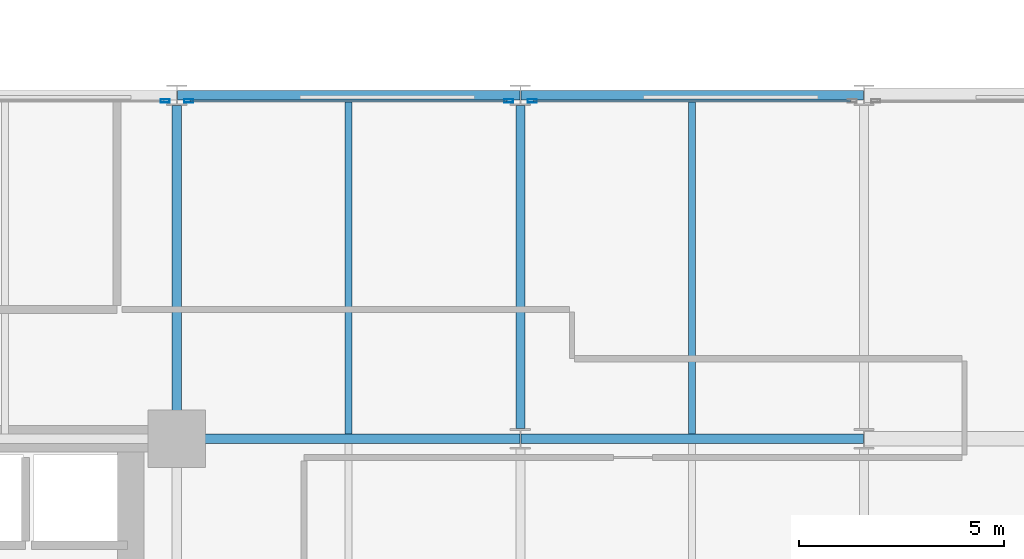
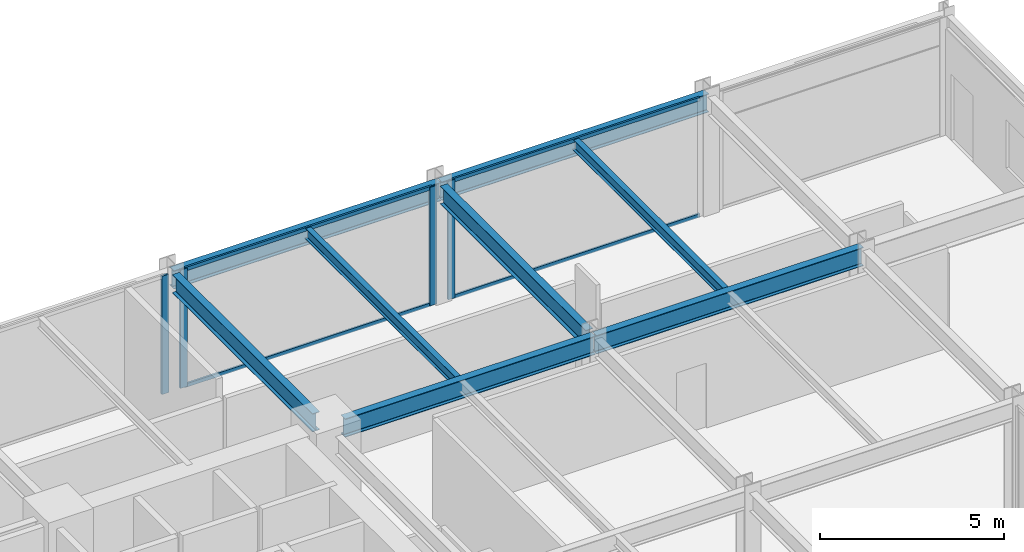
# One storey, part 14 of 26: 8 beams, 8 members, 3 elements without a shape of their own.
"""IFC4 building model written with IfcOpenShell, lengths in metres."""

from ifc_helpers import new_model, si_unit, direction, frame, origin, origin_2d, place, context, subcontext, project, spatial, hollow_rectangle, i_section, extrude, material, layer, layer_set, material_profile, profile_set, type_object, element, aggregate, save


model = new_model("IFC4")

# Units and contexts
model_context = context("Model", 3, precision=1e-05, world=origin(), true_north=direction((0.0, 1.0)))
body_context = subcontext(model_context, "Body", "Model", "MODEL_VIEW")
ifc_project = project(units=[si_unit("LENGTHUNIT", "METRE"), si_unit("AREAUNIT", "SQUARE_METRE"), si_unit("VOLUMEUNIT", "CUBIC_METRE"), si_unit("PLANEANGLEUNIT", "RADIAN"), si_unit("MASSUNIT", "GRAM", prefix="KILO")], contexts=[model_context])

# Site, building, storey
site_placement = place(None, origin())
site = spatial("IfcSite", under=ifc_project, at=site_placement, CompositionType="ELEMENT")
building_placement = place(site_placement, origin())
building = spatial("IfcBuilding", under=site, at=building_placement, Name="Nerrivon Quay Data Exchange", CompositionType="ELEMENT")
storey_placement = place(building_placement, frame((0.0, 0.0, 71.0)))
storey = spatial("IfcBuildingStorey", under=building, at=storey_placement, Name="L16", CompositionType="ELEMENT", Elevation=71.0)

# Beams
ifc_material_1 = material(Name="Steel Grade 350", Category="steel")
ifc_material_profile_1 = material_profile(ifc_material_1, i_section(OverallWidth=0.22900390625, OverallDepth=0.612060546875, WebThickness=0.011962890625, FlangeThickness=0.01953125, FilletRadius=0.013916015625, at=origin_2d()), Name="610UB125")
ifc_profile_set_1 = profile_set([ifc_material_profile_1], Name="Steel Grade 350")
beam_type_1 = type_object("IfcBeamType", Name="BM-G1-610UB125", PredefinedType="BEAM", material=ifc_profile_set_1)
beam_1_placement = place(storey_placement, frame((34.139892578125, 16.800048828125, 3.618896484375), z_axis=(1.0, 0.0, 0.0), x_axis=(0.0, 1.0, 0.0)))
element("IfcBeam", 1, at=beam_1_placement, inside=storey, type_object=beam_type_1, Name="L16 EW Girder Y=16.8 (33.6..42.0)", PredefinedType="BEAM", context=body_context, shape_type="SweptSolid", body=[
    extrude(i_section(OverallWidth=0.22900390625, OverallDepth=0.612060546875, WebThickness=0.011962890625, FlangeThickness=0.01953125, FilletRadius=0.013916015625, at=origin_2d()), origin(), (0.0, 0.0, 1.0), 7.84619140625),
])
for number, where, z_axis, x_axis, name in (
    (2, (42.013916015625, 16.800048828125, 3.618896484375), (1.0, 0.0, 0.0), (0.0, 1.0, 0.0), "L16 EW Girder Y=16.8 (42.0..50.4)"),
    (3, (33.614013671875, 25.199951171875, 3.618896484375), (1.0, 0.0, 0.0), (0.0, 1.0, 0.0), "L16 EW Girder Y=25.2 (33.6..42.0)"),
    (4, (42.013916015625, 25.199951171875, 3.618896484375), (1.0, 0.0, 0.0), (0.0, 1.0, 0.0), "L16 EW Girder Y=25.2 (42.0..50.4)"),
):
    element("IfcBeam", number, at=place(storey_placement, frame(where, z_axis=z_axis, x_axis=x_axis)), inside=storey, type_object=beam_type_1, Name=name, PredefinedType="BEAM", context=body_context, shape_type="SweptSolid", body=[
        extrude(i_section(OverallWidth=0.22900390625, OverallDepth=0.612060546875, WebThickness=0.011962890625, FlangeThickness=0.01953125, FilletRadius=0.013916015625, at=origin_2d()), origin(), (0.0, 0.0, 1.0), 8.3720703125),
    ])
ifc_material_profile_2 = material_profile(ifc_material_1, i_section(OverallWidth=0.22802734375, OverallDepth=0.60205078125, WebThickness=0.010498046875, FlangeThickness=0.014892578125, FilletRadius=0.013916015625, at=origin_2d()), Name="610UB101")
ifc_profile_set_2 = profile_set([ifc_material_profile_2], Name="Steel Grade 350")
beam_type_2 = type_object("IfcBeamType", Name="BM-G2-610UB101", PredefinedType="BEAM", material=ifc_profile_set_2)
beam_2_placement = place(storey_placement, frame((33.60009765625, 17.340087890625, 3.6240234375), z_axis=(0.0, 1.0, 0.0), x_axis=(-1.0, 0.0, 0.0)))
element("IfcBeam", 5, at=beam_2_placement, inside=storey, type_object=beam_type_2, Name="L16 NS Girder X=33.6 (16.8..25.2)", PredefinedType="BEAM", context=body_context, shape_type="SweptSolid", body=[
    extrude(i_section(OverallWidth=0.22802734375, OverallDepth=0.60205078125, WebThickness=0.010498046875, FlangeThickness=0.014892578125, FilletRadius=0.013916015625, at=origin_2d()), origin(), (0.0, 0.0, 1.0), 7.60986328125),
])
beam_3_placement = place(storey_placement, frame((42.0, 17.050048828125, 3.6240234375), z_axis=(0.0, 1.0, 0.0), x_axis=(-1.0, 0.0, 0.0)))
element("IfcBeam", 6, at=beam_3_placement, inside=storey, type_object=beam_type_2, Name="L16 NS Girder X=42.0 (16.8..25.2)", PredefinedType="BEAM", context=body_context, shape_type="SweptSolid", body=[
    extrude(i_section(OverallWidth=0.22802734375, OverallDepth=0.60205078125, WebThickness=0.010498046875, FlangeThickness=0.014892578125, FilletRadius=0.013916015625, at=origin_2d()), origin(), (0.0, 0.0, 1.0), 7.89990234375),
])
ifc_material_profile_3 = material_profile(ifc_material_1, i_section(OverallWidth=0.172119140625, OverallDepth=0.35888671875, WebThickness=0.008056640625, FlangeThickness=0.012939453125, FilletRadius=0.011474609375, at=origin_2d()), Name="360UB56.7")
ifc_profile_set_3 = profile_set([ifc_material_profile_3], Name="Steel Grade 350")
beam_type_3 = type_object("IfcBeamType", Name="BM-J3-360UB57", PredefinedType="JOIST", material=ifc_profile_set_3)
for number, where, z_axis, x_axis, name in (
    (7, (37.800048828125, 16.91455078125, 3.74560546875), (0.0, 1.0, 0.0), (-1.0, 0.0, 0.0), "L16 Secondary Joist X=37.8 (16.8..25.2)"),
    (8, (46.199951171875, 16.91455078125, 3.74560546875), (0.0, 1.0, 0.0), (-1.0, 0.0, 0.0), "L16 Secondary Joist X=46.2 (16.8..25.2)"),
):
    element("IfcBeam", number, at=place(storey_placement, frame(where, z_axis=z_axis, x_axis=x_axis)), inside=storey, type_object=beam_type_3, Name=name, PredefinedType="JOIST", context=body_context, shape_type="SweptSolid", body=[
        extrude(i_section(OverallWidth=0.172119140625, OverallDepth=0.35888671875, WebThickness=0.008056640625, FlangeThickness=0.012939453125, FilletRadius=0.011474609375, at=origin_2d()), origin(), (0.0, 0.0, 1.0), 8.1708984375),
    ])

# Curtain wall, member
ifc_material_2 = material(Name="Anodised aluminium 6063-T6", Category="aluminium")
ifc_layer = layer(ifc_material_2, 0.219970703125)
ifc_layer_set = layer_set([ifc_layer], Name="Anodised aluminium 6063-T6")
curtain_wall_type = type_object("IfcCurtainWallType", Name="CW-SYS-01", PredefinedType="NOTDEFINED", material=ifc_layer_set)
curtain_wall_1_placement = place(storey_placement, origin())
curtain_wall_1 = element("IfcCurtainWall", 9, at=curtain_wall_1_placement, inside=storey, type_object=curtain_wall_type, Name="L16 Unitised Curtain Wall 32", PredefinedType="NOTDEFINED")
ifc_material_profile_4 = material_profile(ifc_material_2, hollow_rectangle(XDim=0.074951171875, YDim=0.219970703125, WallThickness=0.00390625, at=origin_2d()), Name="ALU-MULL-220x75")
ifc_profile_set_4 = profile_set([ifc_material_profile_4], Name="Anodised aluminium 6063-T6")
member_type_1 = type_object("IfcMemberType", Name="CWM-220x75", PredefinedType="MULLION", material=ifc_profile_set_4)
member_1_placement = place(storey_placement, frame((33.3125, 25.06005859375, 0.0), z_axis=(0.0, 0.0, 1.0), x_axis=(0.0, 1.0, 0.0)))
member_1 = element("IfcMember", 10, at=member_1_placement, type_object=member_type_1, Name="CW01 mullion 2", PredefinedType="MULLION", context=body_context, shape_type="SweptSolid", body=[
    extrude(hollow_rectangle(XDim=0.074951171875, YDim=0.219970703125, WallThickness=0.00390625, at=origin_2d()), origin(), (0.0, 0.0, 1.0), 3.925048828125),
])
aggregate(curtain_wall_1, [member_1])

# Curtain wall, members
curtain_wall_2_placement = place(storey_placement, origin())
curtain_wall_2 = element("IfcCurtainWall", 11, at=curtain_wall_2_placement, inside=storey, type_object=curtain_wall_type, Name="L16 Unitised Curtain Wall 33", PredefinedType="NOTDEFINED")
member_2_placement = place(storey_placement, frame((33.887451171875, 25.06005859375, 0.0), z_axis=(0.0, 0.0, 1.0), x_axis=(0.0, 1.0, 0.0)))
member_2 = element("IfcMember", 12, at=member_2_placement, type_object=member_type_1, Name="CW01 mullion 1", PredefinedType="MULLION", context=body_context, shape_type="SweptSolid", body=[
    extrude(hollow_rectangle(XDim=0.074951171875, YDim=0.219970703125, WallThickness=0.00390625, at=origin_2d()), origin(), (0.0, 0.0, 1.0), 3.925048828125),
])
member_3_placement = place(storey_placement, frame((41.71240234375, 25.06005859375, 0.0), z_axis=(0.0, 0.0, 1.0), x_axis=(0.0, 1.0, 0.0)))
member_3 = element("IfcMember", 13, at=member_3_placement, type_object=member_type_1, Name="CW01 mullion 2", PredefinedType="MULLION", context=body_context, shape_type="SweptSolid", body=[
    extrude(hollow_rectangle(XDim=0.074951171875, YDim=0.219970703125, WallThickness=0.00390625, at=origin_2d()), origin(), (0.0, 0.0, 1.0), 3.925048828125),
])

# Curtain wall, member
curtain_wall_3_placement = place(storey_placement, origin())
curtain_wall_3 = element("IfcCurtainWall", 14, at=curtain_wall_3_placement, inside=storey, type_object=curtain_wall_type, Name="L16 Unitised Curtain Wall 34", PredefinedType="NOTDEFINED")
member_4_placement = place(storey_placement, frame((42.28759765625, 25.06005859375, 0.0), z_axis=(0.0, 0.0, 1.0), x_axis=(0.0, 1.0, 0.0)))
member_4 = element("IfcMember", 15, at=member_4_placement, type_object=member_type_1, Name="CW01 mullion 1", PredefinedType="MULLION", context=body_context, shape_type="SweptSolid", body=[
    extrude(hollow_rectangle(XDim=0.074951171875, YDim=0.219970703125, WallThickness=0.00390625, at=origin_2d()), origin(), (0.0, 0.0, 1.0), 3.925048828125),
])

# Member
ifc_material_profile_5 = material_profile(ifc_material_2, hollow_rectangle(XDim=0.06005859375, YDim=0.1201171875, WallThickness=0.003173828125, at=origin_2d()), Name="ALU-TRAN-120x60")
ifc_profile_set_5 = profile_set([ifc_material_profile_5], Name="Anodised aluminium 6063-T6")
member_type_2 = type_object("IfcMemberType", Name="CWT-120x60", PredefinedType="USERDEFINED", material=ifc_profile_set_5)
member_5_placement = place(storey_placement, frame((33.925048828125, 25.06005859375, 0.032470703125), z_axis=(1.0, 0.0, 0.0), x_axis=(0.0, 1.0, 0.0)))
member_5 = element("IfcMember", 16, at=member_5_placement, type_object=member_type_2, Name="CW01 transom 1.1", ObjectType="TRANSOM", PredefinedType="USERDEFINED", context=body_context, shape_type="SweptSolid", body=[
    extrude(hollow_rectangle(XDim=0.06005859375, YDim=0.1201171875, WallThickness=0.003173828125, at=origin_2d()), origin(), (0.0, 0.0, 1.0), 7.75),
])

member_6_placement = place(storey_placement, frame((33.925048828125, 25.06005859375, 3.892578125), z_axis=(1.0, 0.0, 0.0), x_axis=(0.0, 1.0, 0.0)))
member_6 = element("IfcMember", 17, at=member_6_placement, type_object=member_type_2, Name="CW01 transom 1.2", ObjectType="TRANSOM", PredefinedType="USERDEFINED", context=body_context, shape_type="SweptSolid", body=[
    extrude(hollow_rectangle(XDim=0.06005859375, YDim=0.1201171875, WallThickness=0.003173828125, at=origin_2d()), origin(), (0.0, 0.0, 1.0), 7.75),
])

aggregate(curtain_wall_2, [member_2, member_3, member_5, member_6])

member_7_placement = place(storey_placement, frame((42.324951171875, 25.06005859375, 0.032470703125), z_axis=(1.0, 0.0, 0.0), x_axis=(0.0, 1.0, 0.0)))
member_7 = element("IfcMember", 18, at=member_7_placement, type_object=member_type_2, Name="CW01 transom 1.1", ObjectType="TRANSOM", PredefinedType="USERDEFINED", context=body_context, shape_type="SweptSolid", body=[
    extrude(hollow_rectangle(XDim=0.06005859375, YDim=0.1201171875, WallThickness=0.003173828125, at=origin_2d()), origin(), (0.0, 0.0, 1.0), 7.75),
])

member_8_placement = place(storey_placement, frame((42.324951171875, 25.06005859375, 3.892578125), z_axis=(1.0, 0.0, 0.0), x_axis=(0.0, 1.0, 0.0)))
member_8 = element("IfcMember", 19, at=member_8_placement, type_object=member_type_2, Name="CW01 transom 1.2", ObjectType="TRANSOM", PredefinedType="USERDEFINED", context=body_context, shape_type="SweptSolid", body=[
    extrude(hollow_rectangle(XDim=0.06005859375, YDim=0.1201171875, WallThickness=0.003173828125, at=origin_2d()), origin(), (0.0, 0.0, 1.0), 7.75),
])

aggregate(curtain_wall_3, [member_4, member_7, member_8])

save(model, "model.ifc")
